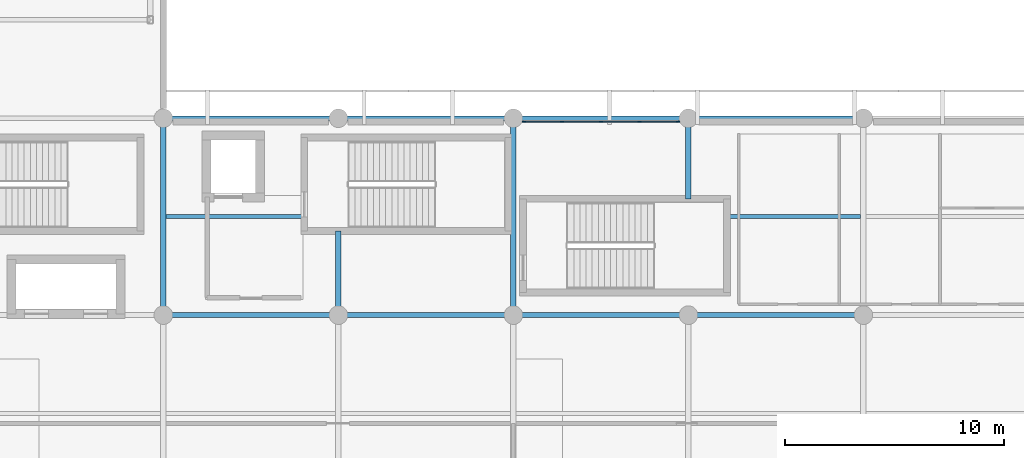
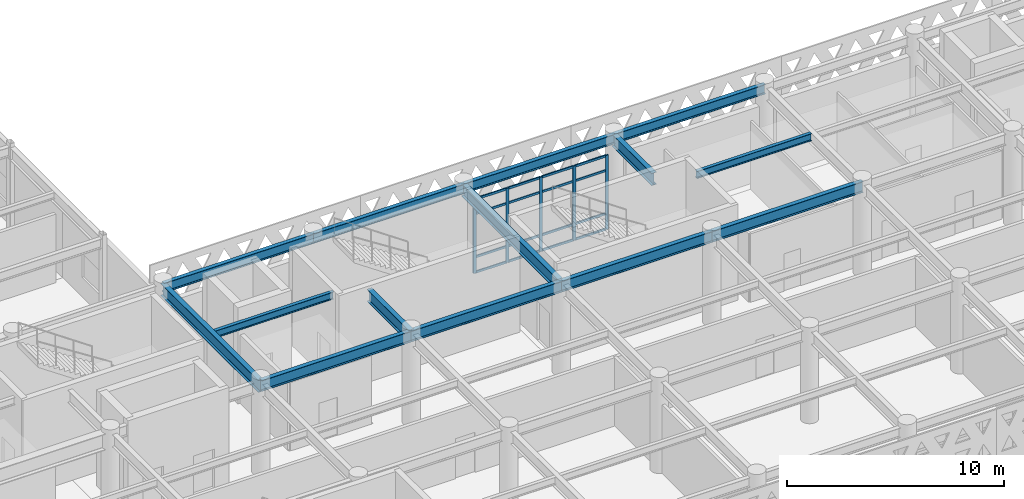
# One storey, part 16 of 84: 21 members, 14 beams, 1 element without a shape of its own.
"""IFC4 building model written with IfcOpenShell, lengths in metres."""

from ifc_helpers import new_model, si_unit, direction, frame, origin, origin_2d, place, context, subcontext, project, spatial, rectangle, i_section, extrude, material, layer, layer_set, material_profile, profile_set, type_object, element, aggregate, save


model = new_model("IFC4")

# Units and contexts
model_context = context("Model", 3, precision=1e-05, world=origin(), true_north=direction((0.0, 1.0)))
body_context = subcontext(model_context, "Body", "Model", "MODEL_VIEW")
ifc_project = project(units=[si_unit("LENGTHUNIT", "METRE"), si_unit("AREAUNIT", "SQUARE_METRE"), si_unit("VOLUMEUNIT", "CUBIC_METRE"), si_unit("PLANEANGLEUNIT", "RADIAN"), si_unit("MASSUNIT", "GRAM", prefix="KILO")], contexts=[model_context])

# Site, building, storey
site_placement = place(None, origin())
site = spatial("IfcSite", under=ifc_project, at=site_placement, CompositionType="ELEMENT")
building_placement = place(site_placement, origin())
building = spatial("IfcBuilding", under=site, at=building_placement, Name="Tlacozan Convention Centre", CompositionType="ELEMENT")
storey_placement = place(building_placement, frame((0.0, 0.0, 6.0)))
storey = spatial("IfcBuildingStorey", under=building, at=storey_placement, Name="L01", CompositionType="ELEMENT", Elevation=6.0)

# Curtain wall, members
ifc_material_1 = material(Name="Dark Bronze Anodised Aluminium", Category="aluminium")
ifc_layer = layer(ifc_material_1, 0.159912109375)
ifc_layer_set = layer_set([ifc_layer], Name="Dark Bronze Anodised Aluminium")
curtain_wall_type = type_object("IfcCurtainWallType", Name="Unitised Congress L01 South CW02", PredefinedType="NOTDEFINED", material=ifc_layer_set)
curtain_wall_placement = place(storey_placement, origin())
curtain_wall = element("IfcCurtainWall", 1, at=curtain_wall_placement, inside=storey, type_object=curtain_wall_type, Name="L01 CW-02 Run 71", PredefinedType="NOTDEFINED")
ifc_material_profile_1 = material_profile(ifc_material_1, rectangle(XDim=0.06494140625, YDim=0.159912109375, at=origin_2d()), Name="ALU 65x160")
ifc_profile_set_1 = profile_set([ifc_material_profile_1], Name="Dark Bronze Anodised Aluminium")
member_type_1 = type_object("IfcMemberType", Name="Curtain Wall Mullion 65x160", PredefinedType="MULLION", material=ifc_profile_set_1)
member_1_placement = place(storey_placement, frame((48.482421875, 26.840087890625, 0.0), z_axis=(0.0, 0.0, 1.0), x_axis=(0.0, 1.0, 0.0)))
member_1 = element("IfcMember", 2, at=member_1_placement, type_object=member_type_1, Name="CW-02 mullion 1", PredefinedType="MULLION", context=body_context, shape_type="SweptSolid", body=[
    extrude(rectangle(XDim=0.06494140625, YDim=0.159912109375, at=origin_2d()), origin(), (0.0, 0.0, 1.0), 4.179931640625),
])
member_2_placement = place(storey_placement, frame((50.22509765625, 26.840087890625, 0.0), z_axis=(0.0, 0.0, 1.0), x_axis=(0.0, 1.0, 0.0)))
member_2 = element("IfcMember", 3, at=member_2_placement, type_object=member_type_1, Name="CW-02 mullion 2", PredefinedType="MULLION", context=body_context, shape_type="SweptSolid", body=[
    extrude(rectangle(XDim=0.06494140625, YDim=0.159912109375, at=origin_2d()), origin(), (0.0, 0.0, 1.0), 4.179931640625),
])
member_3_placement = place(storey_placement, frame((52.0, 26.840087890625, 0.0), z_axis=(0.0, 0.0, 1.0), x_axis=(0.0, 1.0, 0.0)))
member_3 = element("IfcMember", 4, at=member_3_placement, type_object=member_type_1, Name="CW-02 mullion 3", PredefinedType="MULLION", context=body_context, shape_type="SweptSolid", body=[
    extrude(rectangle(XDim=0.06494140625, YDim=0.159912109375, at=origin_2d()), origin(), (0.0, 0.0, 1.0), 4.179931640625),
])
member_4_placement = place(storey_placement, frame((53.77490234375, 26.840087890625, 0.0), z_axis=(0.0, 0.0, 1.0), x_axis=(0.0, 1.0, 0.0)))
member_4 = element("IfcMember", 5, at=member_4_placement, type_object=member_type_1, Name="CW-02 mullion 4", PredefinedType="MULLION", context=body_context, shape_type="SweptSolid", body=[
    extrude(rectangle(XDim=0.06494140625, YDim=0.159912109375, at=origin_2d()), origin(), (0.0, 0.0, 1.0), 4.179931640625),
])
member_5_placement = place(storey_placement, frame((55.517578125, 26.840087890625, 0.0), z_axis=(0.0, 0.0, 1.0), x_axis=(0.0, 1.0, 0.0)))
member_5 = element("IfcMember", 6, at=member_5_placement, type_object=member_type_1, Name="CW-02 mullion 5", PredefinedType="MULLION", context=body_context, shape_type="SweptSolid", body=[
    extrude(rectangle(XDim=0.06494140625, YDim=0.159912109375, at=origin_2d()), origin(), (0.0, 0.0, 1.0), 4.179931640625),
])
ifc_material_profile_2 = material_profile(ifc_material_1, rectangle(XDim=0.06494140625, YDim=0.125, at=origin_2d()), Name="ALU 65x125")
ifc_profile_set_2 = profile_set([ifc_material_profile_2], Name="Dark Bronze Anodised Aluminium")
member_type_2 = type_object("IfcMemberType", Name="Curtain Wall Transom 65x125", PredefinedType="USERDEFINED", material=ifc_profile_set_2)
member_6_placement = place(storey_placement, frame((48.514892578125, 26.840087890625, 0.032470703125), z_axis=(1.0, 0.0, 0.0), x_axis=(0.0, 1.0, 0.0)))
member_6 = element("IfcMember", 7, at=member_6_placement, type_object=member_type_2, Name="CW-02 transom 1.1", ObjectType="TRANSOM", PredefinedType="USERDEFINED", context=body_context, shape_type="SweptSolid", body=[
    extrude(rectangle(XDim=0.06494140625, YDim=0.125, at=origin_2d()), origin(), (0.0, 0.0, 1.0), 1.677490234375),
])
member_7_placement = place(storey_placement, frame((48.514892578125, 26.840087890625, 0.89990234375), z_axis=(1.0, 0.0, 0.0), x_axis=(0.0, 1.0, 0.0)))
member_7 = element("IfcMember", 8, at=member_7_placement, type_object=member_type_2, Name="CW-02 transom 1.2", ObjectType="TRANSOM", PredefinedType="USERDEFINED", context=body_context, shape_type="SweptSolid", body=[
    extrude(rectangle(XDim=0.06494140625, YDim=0.125, at=origin_2d()), origin(), (0.0, 0.0, 1.0), 1.677490234375),
])
member_8_placement = place(storey_placement, frame((48.514892578125, 26.840087890625, 3.330078125), z_axis=(1.0, 0.0, 0.0), x_axis=(0.0, 1.0, 0.0)))
member_8 = element("IfcMember", 9, at=member_8_placement, type_object=member_type_2, Name="CW-02 transom 1.3", ObjectType="TRANSOM", PredefinedType="USERDEFINED", context=body_context, shape_type="SweptSolid", body=[
    extrude(rectangle(XDim=0.06494140625, YDim=0.125, at=origin_2d()), origin(), (0.0, 0.0, 1.0), 1.677490234375),
])
member_9_placement = place(storey_placement, frame((48.514892578125, 26.840087890625, 4.1474609375), z_axis=(1.0, 0.0, 0.0), x_axis=(0.0, 1.0, 0.0)))
member_9 = element("IfcMember", 10, at=member_9_placement, type_object=member_type_2, Name="CW-02 transom 1.4", ObjectType="TRANSOM", PredefinedType="USERDEFINED", context=body_context, shape_type="SweptSolid", body=[
    extrude(rectangle(XDim=0.06494140625, YDim=0.125, at=origin_2d()), origin(), (0.0, 0.0, 1.0), 1.677490234375),
])
member_10_placement = place(storey_placement, frame((50.257568359375, 26.840087890625, 0.032470703125), z_axis=(1.0, 0.0, 0.0), x_axis=(0.0, 1.0, 0.0)))
member_10 = element("IfcMember", 11, at=member_10_placement, type_object=member_type_2, Name="CW-02 transom 2.1", ObjectType="TRANSOM", PredefinedType="USERDEFINED", context=body_context, shape_type="SweptSolid", body=[
    extrude(rectangle(XDim=0.06494140625, YDim=0.125, at=origin_2d()), origin(), (0.0, 0.0, 1.0), 1.7099609375),
])
member_11_placement = place(storey_placement, frame((50.257568359375, 26.840087890625, 0.89990234375), z_axis=(1.0, 0.0, 0.0), x_axis=(0.0, 1.0, 0.0)))
member_11 = element("IfcMember", 12, at=member_11_placement, type_object=member_type_2, Name="CW-02 transom 2.2", ObjectType="TRANSOM", PredefinedType="USERDEFINED", context=body_context, shape_type="SweptSolid", body=[
    extrude(rectangle(XDim=0.06494140625, YDim=0.125, at=origin_2d()), origin(), (0.0, 0.0, 1.0), 1.7099609375),
])
member_12_placement = place(storey_placement, frame((50.257568359375, 26.840087890625, 3.330078125), z_axis=(1.0, 0.0, 0.0), x_axis=(0.0, 1.0, 0.0)))
member_12 = element("IfcMember", 13, at=member_12_placement, type_object=member_type_2, Name="CW-02 transom 2.3", ObjectType="TRANSOM", PredefinedType="USERDEFINED", context=body_context, shape_type="SweptSolid", body=[
    extrude(rectangle(XDim=0.06494140625, YDim=0.125, at=origin_2d()), origin(), (0.0, 0.0, 1.0), 1.7099609375),
])
member_13_placement = place(storey_placement, frame((50.257568359375, 26.840087890625, 4.1474609375), z_axis=(1.0, 0.0, 0.0), x_axis=(0.0, 1.0, 0.0)))
member_13 = element("IfcMember", 14, at=member_13_placement, type_object=member_type_2, Name="CW-02 transom 2.4", ObjectType="TRANSOM", PredefinedType="USERDEFINED", context=body_context, shape_type="SweptSolid", body=[
    extrude(rectangle(XDim=0.06494140625, YDim=0.125, at=origin_2d()), origin(), (0.0, 0.0, 1.0), 1.7099609375),
])
member_14_placement = place(storey_placement, frame((52.032470703125, 26.840087890625, 0.032470703125), z_axis=(1.0, 0.0, 0.0), x_axis=(0.0, 1.0, 0.0)))
member_14 = element("IfcMember", 15, at=member_14_placement, type_object=member_type_2, Name="CW-02 transom 3.1", ObjectType="TRANSOM", PredefinedType="USERDEFINED", context=body_context, shape_type="SweptSolid", body=[
    extrude(rectangle(XDim=0.06494140625, YDim=0.125, at=origin_2d()), origin(), (0.0, 0.0, 1.0), 1.7099609375),
])
member_15_placement = place(storey_placement, frame((52.032470703125, 26.840087890625, 0.89990234375), z_axis=(1.0, 0.0, 0.0), x_axis=(0.0, 1.0, 0.0)))
member_15 = element("IfcMember", 16, at=member_15_placement, type_object=member_type_2, Name="CW-02 transom 3.2", ObjectType="TRANSOM", PredefinedType="USERDEFINED", context=body_context, shape_type="SweptSolid", body=[
    extrude(rectangle(XDim=0.06494140625, YDim=0.125, at=origin_2d()), origin(), (0.0, 0.0, 1.0), 1.7099609375),
])
member_16_placement = place(storey_placement, frame((52.032470703125, 26.840087890625, 3.330078125), z_axis=(1.0, 0.0, 0.0), x_axis=(0.0, 1.0, 0.0)))
member_16 = element("IfcMember", 17, at=member_16_placement, type_object=member_type_2, Name="CW-02 transom 3.3", ObjectType="TRANSOM", PredefinedType="USERDEFINED", context=body_context, shape_type="SweptSolid", body=[
    extrude(rectangle(XDim=0.06494140625, YDim=0.125, at=origin_2d()), origin(), (0.0, 0.0, 1.0), 1.7099609375),
])
member_17_placement = place(storey_placement, frame((52.032470703125, 26.840087890625, 4.1474609375), z_axis=(1.0, 0.0, 0.0), x_axis=(0.0, 1.0, 0.0)))
member_17 = element("IfcMember", 18, at=member_17_placement, type_object=member_type_2, Name="CW-02 transom 3.4", ObjectType="TRANSOM", PredefinedType="USERDEFINED", context=body_context, shape_type="SweptSolid", body=[
    extrude(rectangle(XDim=0.06494140625, YDim=0.125, at=origin_2d()), origin(), (0.0, 0.0, 1.0), 1.7099609375),
])
member_18_placement = place(storey_placement, frame((53.8076171875, 26.840087890625, 0.032470703125), z_axis=(1.0, 0.0, 0.0), x_axis=(0.0, 1.0, 0.0)))
member_18 = element("IfcMember", 19, at=member_18_placement, type_object=member_type_2, Name="CW-02 transom 4.1", ObjectType="TRANSOM", PredefinedType="USERDEFINED", context=body_context, shape_type="SweptSolid", body=[
    extrude(rectangle(XDim=0.06494140625, YDim=0.125, at=origin_2d()), origin(), (0.0, 0.0, 1.0), 1.677490234375),
])
member_19_placement = place(storey_placement, frame((53.8076171875, 26.840087890625, 0.89990234375), z_axis=(1.0, 0.0, 0.0), x_axis=(0.0, 1.0, 0.0)))
member_19 = element("IfcMember", 20, at=member_19_placement, type_object=member_type_2, Name="CW-02 transom 4.2", ObjectType="TRANSOM", PredefinedType="USERDEFINED", context=body_context, shape_type="SweptSolid", body=[
    extrude(rectangle(XDim=0.06494140625, YDim=0.125, at=origin_2d()), origin(), (0.0, 0.0, 1.0), 1.677490234375),
])
member_20_placement = place(storey_placement, frame((53.8076171875, 26.840087890625, 3.330078125), z_axis=(1.0, 0.0, 0.0), x_axis=(0.0, 1.0, 0.0)))
member_20 = element("IfcMember", 21, at=member_20_placement, type_object=member_type_2, Name="CW-02 transom 4.3", ObjectType="TRANSOM", PredefinedType="USERDEFINED", context=body_context, shape_type="SweptSolid", body=[
    extrude(rectangle(XDim=0.06494140625, YDim=0.125, at=origin_2d()), origin(), (0.0, 0.0, 1.0), 1.677490234375),
])
member_21_placement = place(storey_placement, frame((53.8076171875, 26.840087890625, 4.1474609375), z_axis=(1.0, 0.0, 0.0), x_axis=(0.0, 1.0, 0.0)))
member_21 = element("IfcMember", 22, at=member_21_placement, type_object=member_type_2, Name="CW-02 transom 4.4", ObjectType="TRANSOM", PredefinedType="USERDEFINED", context=body_context, shape_type="SweptSolid", body=[
    extrude(rectangle(XDim=0.06494140625, YDim=0.125, at=origin_2d()), origin(), (0.0, 0.0, 1.0), 1.677490234375),
])
aggregate(curtain_wall, [member_1, member_2, member_3, member_4, member_5, member_6, member_7, member_8, member_9, member_10, member_11, member_12, member_13, member_14, member_15, member_16, member_17, member_18, member_19, member_20, member_21])

# Beams
ifc_material_2 = material(Name="Steel ASTM A992 Grade 50", Category="steel")
ifc_material_profile_3 = material_profile(ifc_material_2, i_section(OverallWidth=0.22900390625, OverallDepth=0.612060546875, WebThickness=0.011962890625, FlangeThickness=0.01953125, FilletRadius=0.012939453125, at=origin_2d()), Name="IR 610x125.0")
ifc_profile_set_3 = profile_set([ifc_material_profile_3], Name="Steel ASTM A992 Grade 50")
beam_type_1 = type_object("IfcBeamType", Name="Floor Beam IR 610x125", PredefinedType="BEAM", material=ifc_profile_set_3)
for number, where, z_axis, x_axis, name in (
    (23, (32.0, 18.0, 4.833984375), (1.0, 0.0, 0.0), (0.0, 1.0, 0.0), "L01 Floor Beam IR 610x125 333"),
    (24, (40.0, 18.0, 4.833984375), (1.0, 0.0, 0.0), (0.0, 1.0, 0.0), "L01 Floor Beam IR 610x125 337"),
    (25, (48.0, 18.0, 4.833984375), (1.0, 0.0, 0.0), (0.0, 1.0, 0.0), "L01 Floor Beam IR 610x125 341"),
    (26, (56.0, 18.0, 4.833984375), (1.0, 0.0, 0.0), (0.0, 1.0, 0.0), "L01 Floor Beam IR 610x125 345"),
):
    element("IfcBeam", number, at=place(storey_placement, frame(where, z_axis=z_axis, x_axis=x_axis)), inside=storey, type_object=beam_type_1, Name=name, PredefinedType="BEAM", context=body_context, shape_type="SweptSolid", body=[
        extrude(i_section(OverallWidth=0.22900390625, OverallDepth=0.612060546875, WebThickness=0.011962890625, FlangeThickness=0.01953125, FilletRadius=0.012939453125, at=origin_2d()), origin(), (0.0, 0.0, 1.0), 8.0),
    ])
ifc_material_profile_4 = material_profile(ifc_material_2, i_section(OverallWidth=0.256103515625, OverallDepth=0.693115234375, WebThickness=0.014404296875, FlangeThickness=0.023681640625, FilletRadius=0.014892578125, at=origin_2d()), Name="IR 686x170.0")
ifc_profile_set_4 = profile_set([ifc_material_profile_4], Name="Steel ASTM A992 Grade 50")
beam_type_2 = type_object("IfcBeamType", Name="Girder Steel IR 686x170", PredefinedType="BEAM", material=ifc_profile_set_4)
beam_1_placement = place(storey_placement, frame((32.0, 18.0, 4.79345703125), z_axis=(0.0, 1.0, 0.0), x_axis=(-1.0, 0.0, 0.0)))
element("IfcBeam", 27, at=beam_1_placement, inside=storey, type_object=beam_type_2, Name="L01 Girder Steel IR 686x170 274", PredefinedType="BEAM", context=body_context, shape_type="SweptSolid", body=[
    extrude(i_section(OverallWidth=0.256103515625, OverallDepth=0.693115234375, WebThickness=0.014404296875, FlangeThickness=0.023681640625, FilletRadius=0.014892578125, at=origin_2d()), origin(), (0.0, 0.0, 1.0), 9.0),
])
beam_2_placement = place(storey_placement, frame((40.0, 18.0, 4.79345703125), z_axis=(0.0, 1.0, 0.0), x_axis=(-1.0, 0.0, 0.0)))
element("IfcBeam", 28, at=beam_2_placement, inside=storey, type_object=beam_type_2, Name="L01 Girder Steel IR 686x170 277", PredefinedType="BEAM", context=body_context, shape_type="SweptSolid", body=[
    extrude(i_section(OverallWidth=0.256103515625, OverallDepth=0.693115234375, WebThickness=0.014404296875, FlangeThickness=0.023681640625, FilletRadius=0.014892578125, at=origin_2d()), origin(), (0.0, 0.0, 1.0), 3.840087890625),
])
beam_3_placement = place(storey_placement, frame((48.0, 18.0, 4.79345703125), z_axis=(0.0, 1.0, 0.0), x_axis=(-1.0, 0.0, 0.0)))
element("IfcBeam", 29, at=beam_3_placement, inside=storey, type_object=beam_type_2, Name="L01 Girder Steel IR 686x170 280", PredefinedType="BEAM", context=body_context, shape_type="SweptSolid", body=[
    extrude(i_section(OverallWidth=0.256103515625, OverallDepth=0.693115234375, WebThickness=0.014404296875, FlangeThickness=0.023681640625, FilletRadius=0.014892578125, at=origin_2d()), origin(), (0.0, 0.0, 1.0), 9.0),
])
beam_4_placement = place(storey_placement, frame((56.0, 23.320068359375, 4.79345703125), z_axis=(0.0, 1.0, 0.0), x_axis=(-1.0, 0.0, 0.0)))
element("IfcBeam", 30, at=beam_4_placement, inside=storey, type_object=beam_type_2, Name="L01 Girder Steel IR 686x170 283", PredefinedType="BEAM", context=body_context, shape_type="SweptSolid", body=[
    extrude(i_section(OverallWidth=0.256103515625, OverallDepth=0.693115234375, WebThickness=0.014404296875, FlangeThickness=0.023681640625, FilletRadius=0.014892578125, at=origin_2d()), origin(), (0.0, 0.0, 1.0), 3.679931640625),
])
ifc_material_profile_5 = material_profile(ifc_material_2, i_section(OverallWidth=0.2109375, OverallDepth=0.5390625, WebThickness=0.01171875, FlangeThickness=0.018798828125, FilletRadius=0.012939453125, at=origin_2d()), Name="IR 533x109.0")
ifc_profile_set_5 = profile_set([ifc_material_profile_5], Name="Steel ASTM A992 Grade 50")
beam_type_3 = type_object("IfcBeamType", Name="Perimeter Spandrel IR 533x109", PredefinedType="SPANDREL", material=ifc_profile_set_5)
for number, where, z_axis, x_axis, name in (
    (31, (32.0, 27.0, 4.87060546875), (1.0, 0.0, 0.0), (0.0, 1.0, 0.0), "L01 Perimeter Spandrel IR 533x109 334"),
    (32, (40.0, 27.0, 4.87060546875), (1.0, 0.0, 0.0), (0.0, 1.0, 0.0), "L01 Perimeter Spandrel IR 533x109 338"),
    (33, (48.0, 27.0, 4.87060546875), (1.0, 0.0, 0.0), (0.0, 1.0, 0.0), "L01 Perimeter Spandrel IR 533x109 342"),
    (34, (56.0, 27.0, 4.87060546875), (1.0, 0.0, 0.0), (0.0, 1.0, 0.0), "L01 Perimeter Spandrel IR 533x109 346"),
):
    element("IfcBeam", number, at=place(storey_placement, frame(where, z_axis=z_axis, x_axis=x_axis)), inside=storey, type_object=beam_type_3, Name=name, PredefinedType="SPANDREL", context=body_context, shape_type="SweptSolid", body=[
        extrude(i_section(OverallWidth=0.2109375, OverallDepth=0.5390625, WebThickness=0.01171875, FlangeThickness=0.018798828125, FilletRadius=0.012939453125, at=origin_2d()), origin(), (0.0, 0.0, 1.0), 8.0),
    ])
ifc_material_profile_6 = material_profile(ifc_material_2, i_section(OverallWidth=0.179931640625, OverallDepth=0.4130859375, WebThickness=0.009765625, FlangeThickness=0.01611328125, FilletRadius=0.010986328125, at=origin_2d()), Name="IR 406x74.4")
ifc_profile_set_6 = profile_set([ifc_material_profile_6], Name="Steel ASTM A992 Grade 50")
beam_type_4 = type_object("IfcBeamType", Name="Secondary Joist IR 406x74.4", PredefinedType="JOIST", material=ifc_profile_set_6)
beam_5_placement = place(storey_placement, frame((32.1259765625, 22.5, 4.93359375), z_axis=(1.0, 0.0, 0.0), x_axis=(0.0, 1.0, 0.0)))
element("IfcBeam", 35, at=beam_5_placement, inside=storey, type_object=beam_type_4, Name="L01 Secondary Joist IR 406x74.4 374", PredefinedType="JOIST", context=body_context, shape_type="SweptSolid", body=[
    extrude(i_section(OverallWidth=0.179931640625, OverallDepth=0.4130859375, WebThickness=0.009765625, FlangeThickness=0.01611328125, FilletRadius=0.010986328125, at=origin_2d()), origin(), (0.0, 0.0, 1.0), 6.31396484375),
])
beam_6_placement = place(storey_placement, frame((57.760009765625, 22.5, 4.93359375), z_axis=(1.0, 0.0, 0.0), x_axis=(0.0, 1.0, 0.0)))
element("IfcBeam", 36, at=beam_6_placement, inside=storey, type_object=beam_type_4, Name="L01 Secondary Joist IR 406x74.4 381", PredefinedType="JOIST", context=body_context, shape_type="SweptSolid", body=[
    extrude(i_section(OverallWidth=0.179931640625, OverallDepth=0.4130859375, WebThickness=0.009765625, FlangeThickness=0.01611328125, FilletRadius=0.010986328125, at=origin_2d()), origin(), (0.0, 0.0, 1.0), 6.114013671875),
])

save(model, "model.ifc")
